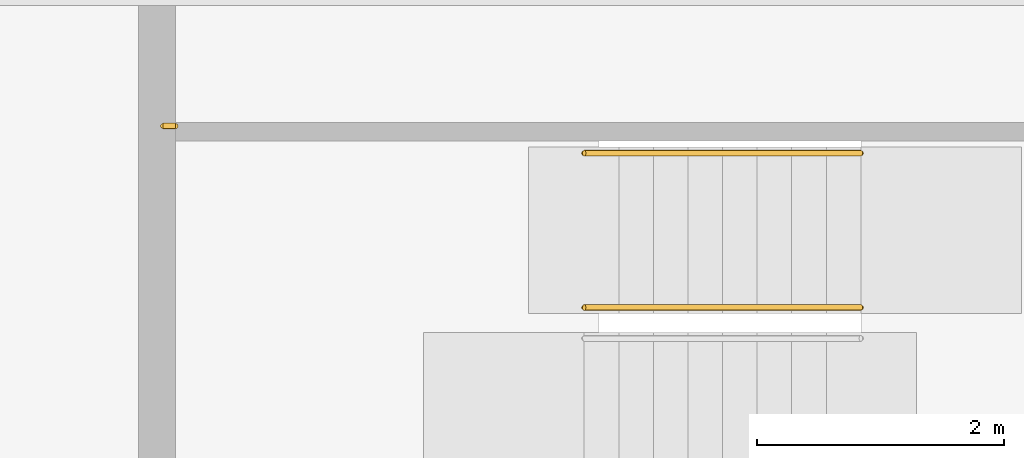
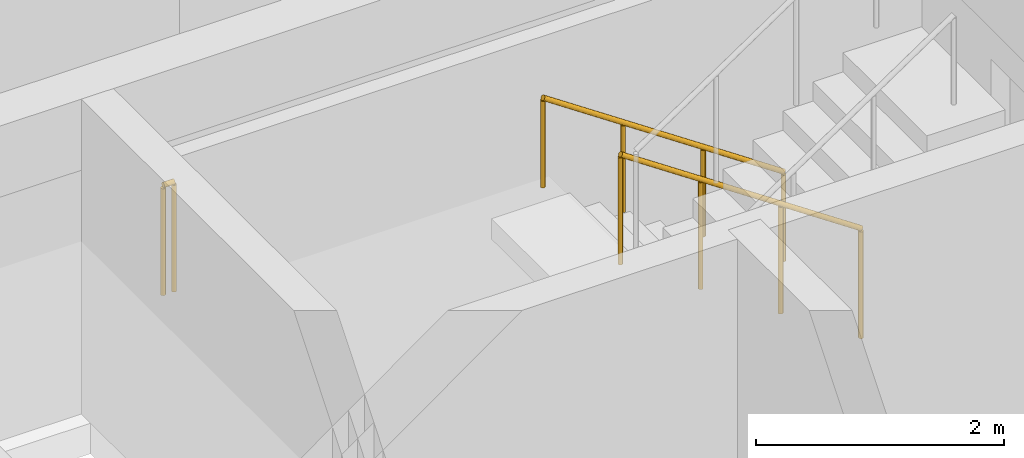
# One storey, part 10 of 11: 3 railings.
"""IFC4 building model written with IfcOpenShell, lengths in metres."""

from ifc_helpers import new_model, si_unit, direction, frame, origin, origin_2d, place, context, subcontext, project, spatial, circle, extrude, material, type_object, element, save


model = new_model("IFC4")

# Units and contexts
model_context = context("Model", 3, precision=1e-05, world=origin(), true_north=direction((0.0, 1.0)))
body_context = subcontext(model_context, "Body", "Model", "MODEL_VIEW")
ifc_project = project(units=[si_unit("LENGTHUNIT", "METRE"), si_unit("AREAUNIT", "SQUARE_METRE"), si_unit("VOLUMEUNIT", "CUBIC_METRE"), si_unit("PLANEANGLEUNIT", "RADIAN"), si_unit("MASSUNIT", "GRAM", prefix="KILO")], contexts=[model_context])

# Site, building, storey
site_placement = place(None, origin())
site = spatial("IfcSite", under=ifc_project, at=site_placement, CompositionType="ELEMENT")
building_placement = place(site_placement, origin())
building = spatial("IfcBuilding", under=site, at=building_placement, Name="Windrow Commons", CompositionType="ELEMENT")
storey_placement = place(building_placement, frame((0.0, 0.0, 271.0)))
storey = spatial("IfcBuildingStorey", under=building, at=storey_placement, Name="L74", CompositionType="ELEMENT", Elevation=271.0)

# Railings
ifc_material_1 = material(Name="Steel S355", Category="steel")
railing_type_1 = type_object("IfcRailingType", Name="Core stair guard 1100", PredefinedType="GUARDRAIL", material=ifc_material_1)
railing_1_placement = place(storey_placement, frame((70.5, 62.355, 0.1889)))
element("IfcRailing", 1, at=railing_1_placement, inside=storey, type_object=railing_type_1, Name="L74 ST-A2 stair guard 1", PredefinedType="GUARDRAIL", context=body_context, shape_type="SweptSolid", body=[
    extrude(circle(Radius=0.024, at=origin_2d()), frame((0.0, 0.0, 1.076), z_axis=(-0.8290030985, 0.0, 0.5592440099), x_axis=(0.0, -1.0, 0.0)), (0.0, 0.0, 1.0), 2.702),
    extrude(circle(Radius=0.021, at=origin_2d()), origin(), (0.0, 0.0, 1.0), 1.052),
    extrude(circle(Radius=0.021, at=origin_2d()), frame((-0.7467, 0.0, 0.5037)), (0.0, 0.0, 1.0), 1.052),
    extrude(circle(Radius=0.021, at=origin_2d()), frame((-1.4933, 0.0, 1.0074)), (0.0, 0.0, 1.0), 1.052),
    extrude(circle(Radius=0.021, at=origin_2d()), frame((-2.24, 0.0, 1.5111)), (0.0, 0.0, 1.0), 1.052),
])
railing_2_placement = place(storey_placement, frame((64.95, 63.825, 1.7)))
element("IfcRailing", 2, at=railing_2_placement, inside=storey, type_object=railing_type_1, Name="L74 ST-A2 stair guard 3", PredefinedType="GUARDRAIL", context=body_context, shape_type="SweptSolid", body=[
    extrude(circle(Radius=0.024, at=origin_2d()), frame((0.0, 0.0, 1.076), z_axis=(-1.0, 0.0, 0.0), x_axis=(0.0, -1.0, 0.0)), (0.0, 0.0, 1.0), 0.1),
    extrude(circle(Radius=0.021, at=origin_2d()), origin(), (0.0, 0.0, 1.0), 1.052),
    extrude(circle(Radius=0.021, at=origin_2d()), frame((-0.1, 0.0, 0.0)), (0.0, 0.0, 1.0), 1.052),
])
ifc_material_2 = material(Name="Steel S355", Category="steel")
railing_type_2 = type_object("IfcRailingType", Name="Core stair handrail 900", PredefinedType="HANDRAIL", material=ifc_material_2)
railing_3_placement = place(storey_placement, frame((70.5, 63.605, 0.1889)))
element("IfcRailing", 3, at=railing_3_placement, inside=storey, type_object=railing_type_2, Name="L74 ST-A2 stair handrail 1", PredefinedType="HANDRAIL", context=body_context, shape_type="SweptSolid", body=[
    extrude(circle(Radius=0.024, at=origin_2d()), frame((0.0, 0.0, 0.876), z_axis=(-0.8290030985, 0.0, 0.5592440099), x_axis=(0.0, -1.0, 0.0)), (0.0, 0.0, 1.0), 2.702),
    extrude(circle(Radius=0.021, at=origin_2d()), origin(), (0.0, 0.0, 1.0), 0.852),
    extrude(circle(Radius=0.021, at=origin_2d()), frame((-0.7467, 0.0, 0.5037)), (0.0, 0.0, 1.0), 0.852),
    extrude(circle(Radius=0.021, at=origin_2d()), frame((-1.4933, 0.0, 1.0074)), (0.0, 0.0, 1.0), 0.852),
    extrude(circle(Radius=0.021, at=origin_2d()), frame((-2.24, 0.0, 1.5111)), (0.0, 0.0, 1.0), 0.852),
])

save(model, "model.ifc")
